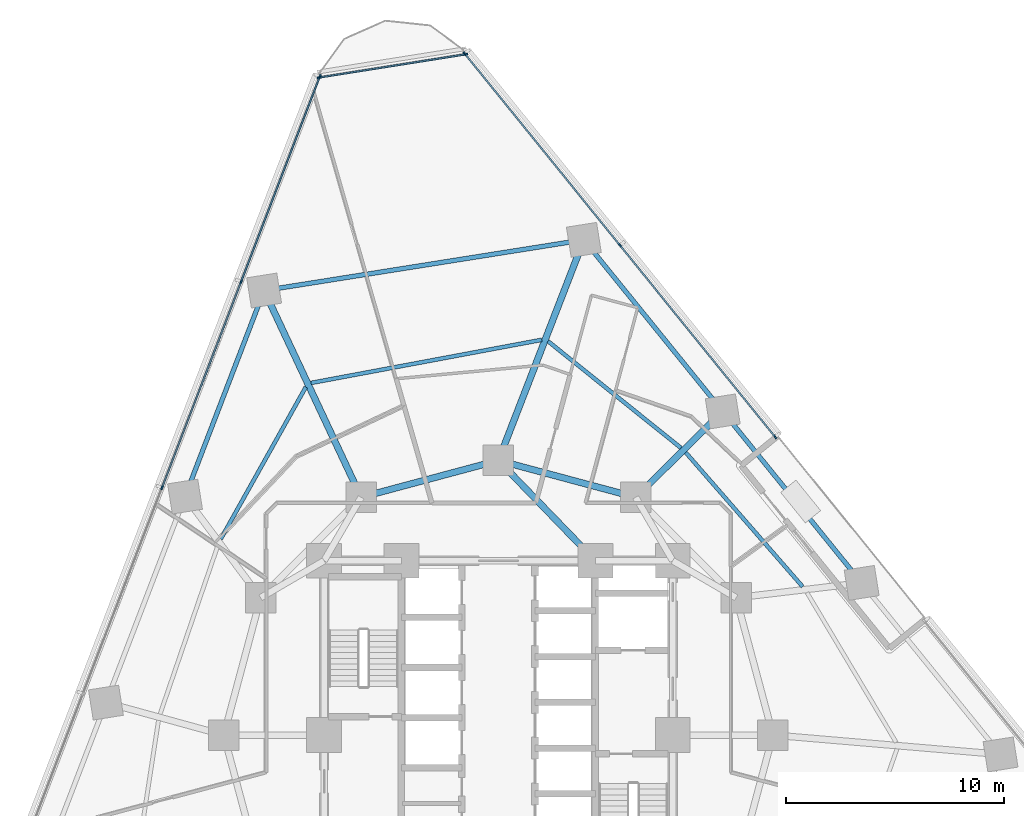
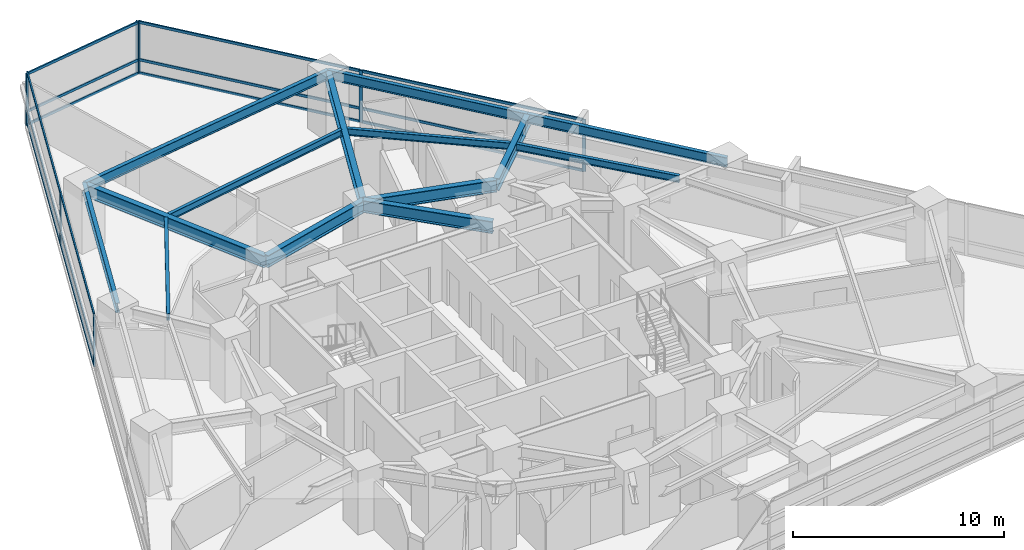
# One storey, part 5 of 14: 23 members, 14 beams, 3 elements without a shape of their own.
"""IFC4 building model written with IfcOpenShell, lengths in metres."""

from ifc_helpers import new_model, si_unit, direction, frame, origin, origin_2d, place, context, subcontext, project, spatial, rectangle, i_section, extrude, material, layer, layer_set, material_profile, profile_set, type_object, element, aggregate, save


model = new_model("IFC4")

# Units and contexts
model_context = context("Model", 3, precision=1e-05, world=origin(), true_north=direction((0.0, 1.0)))
body_context = subcontext(model_context, "Body", "Model", "MODEL_VIEW")
ifc_project = project(units=[si_unit("LENGTHUNIT", "METRE"), si_unit("AREAUNIT", "SQUARE_METRE"), si_unit("VOLUMEUNIT", "CUBIC_METRE"), si_unit("PLANEANGLEUNIT", "RADIAN"), si_unit("MASSUNIT", "GRAM", prefix="KILO")], contexts=[model_context])

# Site, building, storey
site_placement = place(None, origin())
site = spatial("IfcSite", under=ifc_project, at=site_placement, CompositionType="ELEMENT")
building_placement = place(site_placement, origin())
building = spatial("IfcBuilding", under=site, at=building_placement, Name="Terralouvre Media Tower", CompositionType="ELEMENT")
storey_placement = place(building_placement, frame((0.0, 0.0, 63.0)))
storey = spatial("IfcBuildingStorey", under=building, at=storey_placement, Name="L15", CompositionType="ELEMENT", Elevation=63.0)

# Beams
ifc_material_1 = material(Name="Structural steel S355J2", Category="steel")
ifc_material_profile_1 = material_profile(ifc_material_1, i_section(OverallWidth=0.179931640625, OverallDepth=0.39990234375, WebThickness=0.008544921875, FlangeThickness=0.013427734375, at=origin_2d()), Name="IPE 400")
ifc_profile_set_1 = profile_set([ifc_material_profile_1], Name="Structural steel S355J2")
beam_type_1 = type_object("IfcBeamType", Name="Composite Floor Joist J-IPE400 (IPE 400)", PredefinedType="JOIST", material=ifc_profile_set_1)
beam_1_placement = place(storey_placement, frame((13.96044921875, 6.810791015625, 3.300048828125), z_axis=(-0.656991876482, 0.753897655014, 0.0), x_axis=(-0.753897655014, -0.656991876482, 0.0)))
element("IfcBeam", 1, at=beam_1_placement, inside=storey, type_object=beam_type_1, Name="L15 Framing Beam JT-L15-07", PredefinedType="JOIST", context=body_context, shape_type="SweptSolid", body=[
    extrude(i_section(OverallWidth=0.179931640625, OverallDepth=0.39990234375, WebThickness=0.008544921875, FlangeThickness=0.013427734375, at=origin_2d()), origin(), (0.0, 0.0, 1.0), 8.165283203125),
])
beam_2_placement = place(storey_placement, frame((8.380615234375, 13.173583984375, 3.300048828125), z_axis=(-0.779905972593, 0.62589669588, 0.0), x_axis=(-0.62589669588, -0.779905972593, 0.0)))
element("IfcBeam", 2, at=beam_2_placement, inside=storey, type_object=beam_type_1, Name="L15 Framing Beam JT-L15-08", PredefinedType="JOIST", context=body_context, shape_type="SweptSolid", body=[
    extrude(i_section(OverallWidth=0.179931640625, OverallDepth=0.39990234375, WebThickness=0.008544921875, FlangeThickness=0.013427734375, at=origin_2d()), origin(), (0.0, 0.0, 1.0), 7.82470703125),
])
beam_3_placement = place(storey_placement, frame((1.985595703125, 18.13623046875, 3.300048828125), z_axis=(-0.982984181952, -0.183690223017, 0.0), x_axis=(0.183690223017, -0.982984181952, 0.0)))
element("IfcBeam", 3, at=beam_3_placement, inside=storey, type_object=beam_type_1, Name="L15 Framing Beam JT-L15-09", PredefinedType="JOIST", context=body_context, shape_type="SweptSolid", body=[
    extrude(i_section(OverallWidth=0.179931640625, OverallDepth=0.39990234375, WebThickness=0.008544921875, FlangeThickness=0.013427734375, at=origin_2d()), origin(), (0.0, 0.0, 1.0), 10.766845703125),
])
beam_4_placement = place(storey_placement, frame((-8.837646484375, 15.97119140625, 3.300048828125), z_axis=(-0.488342920388, -0.87265181608, 0.0), x_axis=(0.87265181608, -0.488342920388, 0.0)))
element("IfcBeam", 4, at=beam_4_placement, inside=storey, type_object=beam_type_1, Name="L15 Framing Beam JT-L15-10", PredefinedType="JOIST", context=body_context, shape_type="SweptSolid", body=[
    extrude(i_section(OverallWidth=0.179931640625, OverallDepth=0.39990234375, WebThickness=0.008544921875, FlangeThickness=0.013427734375, at=origin_2d()), origin(), (0.0, 0.0, 1.0), 7.992919921875),
])

# Curtain wall, members
ifc_material_2 = material(Name="Low-iron laminated double glazing with solar-control coating", Category="glass")
ifc_layer_1 = layer(ifc_material_2, 0.1650390625, Name="Lower Media Tower Unitised Curtain Wall CW-02")
ifc_layer_set_1 = layer_set([ifc_layer_1], Name="Low-iron laminated double glazing with solar-control coating")
curtain_wall_type_1 = type_object("IfcCurtainWallType", Name="Lower Media Tower Unitised Curtain Wall CW-02", PredefinedType="NOTDEFINED", material=ifc_layer_set_1)
curtain_wall_1_placement = place(storey_placement, origin())
curtain_wall_1 = element("IfcCurtainWall", 5, at=curtain_wall_1_placement, inside=storey, type_object=curtain_wall_type_1, Name="L15 Right Flank Curtain Wall F1", PredefinedType="NOTDEFINED")
ifc_material_3 = material(Name="Anodised extruded aluminium 6063-T6", Category="aluminium")
ifc_material_profile_2 = material_profile(ifc_material_3, rectangle(XDim=0.074951171875, YDim=0.14990234375, at=origin_2d()), Name="ALU 75x150")
ifc_profile_set_2 = profile_set([ifc_material_profile_2], Name="Anodised extruded aluminium 6063-T6")
member_type_1 = type_object("IfcMemberType", Name="Curtain-Wall Horizontal Transom TR-150", PredefinedType="USERDEFINED", material=ifc_profile_set_2)
member_1_placement = place(storey_placement, frame((12.677001953125, 13.707763671875, 0.03759765625), z_axis=(-0.629311243843, 0.77715336863, 0.0), x_axis=(-0.77715336863, -0.629311243843, 0.0)))
member_1 = element("IfcMember", 6, at=member_1_placement, type_object=member_type_1, Name="CW-02 transom 1.1", ObjectType="TRANSOM", PredefinedType="USERDEFINED", context=body_context, shape_type="SweptSolid", body=[
    extrude(rectangle(XDim=0.074951171875, YDim=0.14990234375, at=origin_2d()), origin(), (0.0, 0.0, 1.0), 11.247314453125),
])
member_2_placement = place(storey_placement, frame((12.677001953125, 13.707763671875, 0.800048828125), z_axis=(-0.629311243843, 0.77715336863, 0.0), x_axis=(-0.77715336863, -0.629311243843, 0.0)))
member_2 = element("IfcMember", 7, at=member_2_placement, type_object=member_type_1, Name="CW-02 transom 1.2", ObjectType="TRANSOM", PredefinedType="USERDEFINED", context=body_context, shape_type="SweptSolid", body=[
    extrude(rectangle(XDim=0.074951171875, YDim=0.14990234375, at=origin_2d()), origin(), (0.0, 0.0, 1.0), 11.247314453125),
])
member_3_placement = place(storey_placement, frame((12.677001953125, 13.707763671875, 2.96240234375), z_axis=(-0.629311243843, 0.77715336863, 0.0), x_axis=(-0.77715336863, -0.629311243843, 0.0)))
member_3 = element("IfcMember", 8, at=member_3_placement, type_object=member_type_1, Name="CW-02 transom 1.3", ObjectType="TRANSOM", PredefinedType="USERDEFINED", context=body_context, shape_type="SweptSolid", body=[
    extrude(rectangle(XDim=0.074951171875, YDim=0.14990234375, at=origin_2d()), origin(), (0.0, 0.0, 1.0), 11.247314453125),
])
member_4_placement = place(storey_placement, frame((5.551513671875, 22.507080078125, 0.03759765625), z_axis=(-0.629311243843, 0.77715336863, 0.0), x_axis=(-0.77715336863, -0.629311243843, 0.0)))
member_4 = element("IfcMember", 9, at=member_4_placement, type_object=member_type_1, Name="CW-02 transom 2.1", ObjectType="TRANSOM", PredefinedType="USERDEFINED", context=body_context, shape_type="SweptSolid", body=[
    extrude(rectangle(XDim=0.074951171875, YDim=0.14990234375, at=origin_2d()), origin(), (0.0, 0.0, 1.0), 11.247314453125),
])
member_5_placement = place(storey_placement, frame((5.551513671875, 22.507080078125, 0.800048828125), z_axis=(-0.629311243843, 0.77715336863, 0.0), x_axis=(-0.77715336863, -0.629311243843, 0.0)))
member_5 = element("IfcMember", 10, at=member_5_placement, type_object=member_type_1, Name="CW-02 transom 2.2", ObjectType="TRANSOM", PredefinedType="USERDEFINED", context=body_context, shape_type="SweptSolid", body=[
    extrude(rectangle(XDim=0.074951171875, YDim=0.14990234375, at=origin_2d()), origin(), (0.0, 0.0, 1.0), 11.247314453125),
])
member_6_placement = place(storey_placement, frame((5.551513671875, 22.507080078125, 2.96240234375), z_axis=(-0.629311243843, 0.77715336863, 0.0), x_axis=(-0.77715336863, -0.629311243843, 0.0)))
member_6 = element("IfcMember", 11, at=member_6_placement, type_object=member_type_1, Name="CW-02 transom 2.3", ObjectType="TRANSOM", PredefinedType="USERDEFINED", context=body_context, shape_type="SweptSolid", body=[
    extrude(rectangle(XDim=0.074951171875, YDim=0.14990234375, at=origin_2d()), origin(), (0.0, 0.0, 1.0), 11.247314453125),
])

curtain_wall_2_placement = place(storey_placement, origin())
curtain_wall_2 = element("IfcCurtainWall", 12, at=curtain_wall_2_placement, inside=storey, type_object=curtain_wall_type_1, Name="L15 Facade Curtain Wall F2", PredefinedType="NOTDEFINED")
member_7_placement = place(storey_placement, frame((-8.2041015625, 30.1904296875, 0.03759765625), z_axis=(-0.358376263354, -0.933577235083, 0.0), x_axis=(0.933577235083, -0.358376263354, 0.0)))
member_7 = element("IfcMember", 13, at=member_7_placement, type_object=member_type_1, Name="CW-02 transom 1.1", ObjectType="TRANSOM", PredefinedType="USERDEFINED", context=body_context, shape_type="SweptSolid", body=[
    extrude(rectangle(XDim=0.074951171875, YDim=0.14990234375, at=origin_2d()), origin(), (0.0, 0.0, 1.0), 10.015625),
])
member_8_placement = place(storey_placement, frame((-8.2041015625, 30.1904296875, 0.800048828125), z_axis=(-0.358376263354, -0.933577235083, 0.0), x_axis=(0.933577235083, -0.358376263354, 0.0)))
member_8 = element("IfcMember", 14, at=member_8_placement, type_object=member_type_1, Name="CW-02 transom 1.2", ObjectType="TRANSOM", PredefinedType="USERDEFINED", context=body_context, shape_type="SweptSolid", body=[
    extrude(rectangle(XDim=0.074951171875, YDim=0.14990234375, at=origin_2d()), origin(), (0.0, 0.0, 1.0), 10.015625),
])
member_9_placement = place(storey_placement, frame((-8.2041015625, 30.1904296875, 2.96240234375), z_axis=(-0.358376263354, -0.933577235083, 0.0), x_axis=(0.933577235083, -0.358376263354, 0.0)))
member_9 = element("IfcMember", 15, at=member_9_placement, type_object=member_type_1, Name="CW-02 transom 1.3", ObjectType="TRANSOM", PredefinedType="USERDEFINED", context=body_context, shape_type="SweptSolid", body=[
    extrude(rectangle(XDim=0.074951171875, YDim=0.14990234375, at=origin_2d()), origin(), (0.0, 0.0, 1.0), 10.015625),
])
member_10_placement = place(storey_placement, frame((-11.8203125, 20.77001953125, 0.03759765625), z_axis=(-0.358357340084, -0.933584499019, 0.0), x_axis=(0.933584499019, -0.358357340084, 0.0)))
member_10 = element("IfcMember", 16, at=member_10_placement, type_object=member_type_1, Name="CW-02 transom 2.1", ObjectType="TRANSOM", PredefinedType="USERDEFINED", context=body_context, shape_type="SweptSolid", body=[
    extrude(rectangle(XDim=0.074951171875, YDim=0.14990234375, at=origin_2d()), origin(), (0.0, 0.0, 1.0), 10.052978515625),
])
member_11_placement = place(storey_placement, frame((-11.8203125, 20.77001953125, 0.800048828125), z_axis=(-0.358357340084, -0.933584499019, 0.0), x_axis=(0.933584499019, -0.358357340084, 0.0)))
member_11 = element("IfcMember", 17, at=member_11_placement, type_object=member_type_1, Name="CW-02 transom 2.2", ObjectType="TRANSOM", PredefinedType="USERDEFINED", context=body_context, shape_type="SweptSolid", body=[
    extrude(rectangle(XDim=0.074951171875, YDim=0.14990234375, at=origin_2d()), origin(), (0.0, 0.0, 1.0), 10.052978515625),
])
member_12_placement = place(storey_placement, frame((-11.8203125, 20.77001953125, 2.96240234375), z_axis=(-0.358357340084, -0.933584499019, 0.0), x_axis=(0.933584499019, -0.358357340084, 0.0)))
member_12 = element("IfcMember", 18, at=member_12_placement, type_object=member_type_1, Name="CW-02 transom 2.3", ObjectType="TRANSOM", PredefinedType="USERDEFINED", context=body_context, shape_type="SweptSolid", body=[
    extrude(rectangle(XDim=0.074951171875, YDim=0.14990234375, at=origin_2d()), origin(), (0.0, 0.0, 1.0), 10.052978515625),
])

ifc_material_4 = material(Name="Low-iron laminated double glazing with solar-control coating", Category="glass")
ifc_layer_2 = layer(ifc_material_4, 0.1650390625, Name="Rounded Wind-Corner Curved Glazing CW-04")
ifc_layer_set_2 = layer_set([ifc_layer_2], Name="Low-iron laminated double glazing with solar-control coating")
curtain_wall_type_2 = type_object("IfcCurtainWallType", Name="Rounded Wind-Corner Curved Glazing CW-04", PredefinedType="NOTDEFINED", material=ifc_layer_set_2)
curtain_wall_3_placement = place(storey_placement, origin())
curtain_wall_3 = element("IfcCurtainWall", 19, at=curtain_wall_3_placement, inside=storey, type_object=curtain_wall_type_2, Name="L15 Rounded Wind-Corner Curtain Wall C2", PredefinedType="NOTDEFINED")
member_13_placement = place(storey_placement, frame((-1.53271484375, 31.231689453125, 0.03759765625), z_axis=(-0.987688588398, -0.156432900464, 0.0), x_axis=(0.156432900464, -0.987688588398, 0.0)))
member_13 = element("IfcMember", 20, at=member_13_placement, type_object=member_type_1, Name="CW-04 transom 1.1", ObjectType="TRANSOM", PredefinedType="USERDEFINED", context=body_context, shape_type="SweptSolid", body=[
    extrude(rectangle(XDim=0.074951171875, YDim=0.14990234375, at=origin_2d()), origin(), (0.0, 0.0, 1.0), 6.74365234375),
])
member_14_placement = place(storey_placement, frame((-1.53271484375, 31.231689453125, 0.800048828125), z_axis=(-0.987688588398, -0.156432900464, 0.0), x_axis=(0.156432900464, -0.987688588398, 0.0)))
member_14 = element("IfcMember", 21, at=member_14_placement, type_object=member_type_1, Name="CW-04 transom 1.2", ObjectType="TRANSOM", PredefinedType="USERDEFINED", context=body_context, shape_type="SweptSolid", body=[
    extrude(rectangle(XDim=0.074951171875, YDim=0.14990234375, at=origin_2d()), origin(), (0.0, 0.0, 1.0), 6.74365234375),
])
member_15_placement = place(storey_placement, frame((-1.53271484375, 31.231689453125, 2.96240234375), z_axis=(-0.987688588398, -0.156432900464, 0.0), x_axis=(0.156432900464, -0.987688588398, 0.0)))
member_15 = element("IfcMember", 22, at=member_15_placement, type_object=member_type_1, Name="CW-04 transom 1.3", ObjectType="TRANSOM", PredefinedType="USERDEFINED", context=body_context, shape_type="SweptSolid", body=[
    extrude(rectangle(XDim=0.074951171875, YDim=0.14990234375, at=origin_2d()), origin(), (0.0, 0.0, 1.0), 6.74365234375),
])

# Member
ifc_material_5 = material(Name="Anodised extruded aluminium 6063-T6", Category="aluminium")
ifc_material_profile_3 = material_profile(ifc_material_5, rectangle(XDim=0.074951171875, YDim=0.179931640625, at=origin_2d()), Name="ALU 75x180")
ifc_profile_set_3 = profile_set([ifc_material_profile_3], Name="Anodised extruded aluminium 6063-T6")
member_type_2 = type_object("IfcMemberType", Name="Curtain-Wall Vertical Mullion ML-180", PredefinedType="MULLION", material=ifc_profile_set_3)
member_16_placement = place(storey_placement, frame((12.70068359375, 13.6787109375, 0.0), z_axis=(0.0, 0.0, 1.0), x_axis=(-0.777145796262, -0.629320595049, 0.0)))
member_16 = element("IfcMember", 23, at=member_16_placement, type_object=member_type_2, Name="CW-02 mullion 1", PredefinedType="MULLION", context=body_context, shape_type="SweptSolid", body=[
    extrude(rectangle(XDim=0.074951171875, YDim=0.179931640625, at=origin_2d()), origin(), (0.0, 0.0, 1.0), 3.0),
])

member_17_placement = place(storey_placement, frame((5.5751953125, 22.477783203125, 0.0), z_axis=(0.0, 0.0, 1.0), x_axis=(-0.777145796262, -0.629320595049, 0.0)))
member_17 = element("IfcMember", 24, at=member_17_placement, type_object=member_type_2, Name="CW-02 mullion 2", PredefinedType="MULLION", context=body_context, shape_type="SweptSolid", body=[
    extrude(rectangle(XDim=0.074951171875, YDim=0.179931640625, at=origin_2d()), origin(), (0.0, 0.0, 1.0), 3.0),
])

member_18_placement = place(storey_placement, frame((-1.55029296875, 31.277099609375, 0.0), z_axis=(0.0, 0.0, 1.0), x_axis=(-0.777145796262, -0.629320595049, 0.0)))
member_18 = element("IfcMember", 25, at=member_18_placement, type_object=member_type_2, Name="CW-02 mullion 3", PredefinedType="MULLION", context=body_context, shape_type="SweptSolid", body=[
    extrude(rectangle(XDim=0.074951171875, YDim=0.179931640625, at=origin_2d()), origin(), (0.0, 0.0, 1.0), 3.0),
])

aggregate(curtain_wall_1, [member_16, member_17, member_18, member_1, member_2, member_3, member_4, member_5, member_6])

member_19_placement = place(storey_placement, frame((-8.190673828125, 30.225341796875, 0.0), z_axis=(0.0, 0.0, 1.0), x_axis=(0.933580438988, -0.358367917006, 0.0)))
member_19 = element("IfcMember", 26, at=member_19_placement, type_object=member_type_2, Name="CW-02 mullion 1", PredefinedType="MULLION", context=body_context, shape_type="SweptSolid", body=[
    extrude(rectangle(XDim=0.074951171875, YDim=0.179931640625, at=origin_2d()), origin(), (0.0, 0.0, 1.0), 3.0),
])

member_20_placement = place(storey_placement, frame((-11.806884765625, 20.80517578125, 0.0), z_axis=(0.0, 0.0, 1.0), x_axis=(0.933580438988, -0.358367917006, 0.0)))
member_20 = element("IfcMember", 27, at=member_20_placement, type_object=member_type_2, Name="CW-02 mullion 2", PredefinedType="MULLION", context=body_context, shape_type="SweptSolid", body=[
    extrude(rectangle(XDim=0.074951171875, YDim=0.179931640625, at=origin_2d()), origin(), (0.0, 0.0, 1.0), 3.0),
])

member_21_placement = place(storey_placement, frame((-15.436279296875, 11.349853515625, 0.0), z_axis=(0.0, 0.0, 1.0), x_axis=(0.933580438988, -0.358367917006, 0.0)))
member_21 = element("IfcMember", 28, at=member_21_placement, type_object=member_type_2, Name="CW-02 mullion 3", PredefinedType="MULLION", context=body_context, shape_type="SweptSolid", body=[
    extrude(rectangle(XDim=0.074951171875, YDim=0.179931640625, at=origin_2d()), origin(), (0.0, 0.0, 1.0), 3.0),
])

aggregate(curtain_wall_2, [member_19, member_20, member_21, member_7, member_8, member_9, member_10, member_11, member_12])

member_22_placement = place(storey_placement, frame((-1.495849609375, 31.237548828125, 0.0), z_axis=(0.0, 0.0, 1.0), x_axis=(0.156434386502, -0.987688353034, 0.0)))
member_22 = element("IfcMember", 29, at=member_22_placement, type_object=member_type_2, Name="CW-04 mullion 1", PredefinedType="MULLION", context=body_context, shape_type="SweptSolid", body=[
    extrude(rectangle(XDim=0.074951171875, YDim=0.179931640625, at=origin_2d()), origin(), (0.0, 0.0, 1.0), 3.0),
])

member_23_placement = place(storey_placement, frame((-8.23046875, 30.1708984375, 0.0), z_axis=(0.0, 0.0, 1.0), x_axis=(0.156434386502, -0.987688353034, 0.0)))
member_23 = element("IfcMember", 30, at=member_23_placement, type_object=member_type_2, Name="CW-04 mullion 2", PredefinedType="MULLION", context=body_context, shape_type="SweptSolid", body=[
    extrude(rectangle(XDim=0.074951171875, YDim=0.179931640625, at=origin_2d()), origin(), (0.0, 0.0, 1.0), 3.0),
])

aggregate(curtain_wall_3, [member_22, member_23, member_13, member_14, member_15])

# Beams
ifc_material_6 = material(Name="Structural steel S355J2", Category="steel")
ifc_material_profile_4 = material_profile(ifc_material_6, i_section(OverallWidth=0.2099609375, OverallDepth=0.550048828125, WebThickness=0.010986328125, FlangeThickness=0.01708984375, at=origin_2d()), Name="IPE 550")
ifc_profile_set_4 = profile_set([ifc_material_profile_4], Name="Structural steel S355J2")
beam_type_2 = type_object("IfcBeamType", Name="Perimeter Spandrel Beam SPB-550 (IPE 550)", PredefinedType="SPANDREL", material=ifc_profile_set_4)
for number, where, z_axis, x_axis, name in (
    (31, (16.669189453125, 6.982421875, 3.22509765625), (-0.629325814949, 0.777141569239, 0.0), (-0.777141569239, -0.629325814949, 0.0), "L15 Framing Beam BM-L15-PR07"),
    (32, (10.29541015625, 14.853271484375, 3.22509765625), (-0.629325814949, 0.777141569239, 0.0), (-0.777141569239, -0.629325814949, 0.0), "L15 Framing Beam BM-L15-PR08"),
):
    element("IfcBeam", number, at=place(storey_placement, frame(where, z_axis=z_axis, x_axis=x_axis)), inside=storey, type_object=beam_type_2, Name=name, PredefinedType="SPANDREL", context=body_context, shape_type="SweptSolid", body=[
        extrude(i_section(OverallWidth=0.2099609375, OverallDepth=0.550048828125, WebThickness=0.010986328125, FlangeThickness=0.01708984375, at=origin_2d()), origin(), (0.0, 0.0, 1.0), 10.1279296875),
    ])
beam_5_placement = place(storey_placement, frame((3.921630859375, 22.72412109375, 3.22509765625), z_axis=(-0.98768930547, -0.156428372939, 0.0), x_axis=(0.156428372939, -0.98768930547, 0.0)))
element("IfcBeam", 33, at=beam_5_placement, inside=storey, type_object=beam_type_2, Name="L15 Framing Beam BM-L15-PR09", PredefinedType="SPANDREL", context=body_context, shape_type="SweptSolid", body=[
    extrude(i_section(OverallWidth=0.2099609375, OverallDepth=0.550048828125, WebThickness=0.010986328125, FlangeThickness=0.01708984375, at=origin_2d()), origin(), (0.0, 0.0, 1.0), 14.8564453125),
])
beam_6_placement = place(storey_placement, frame((-10.751953125, 20.400146484375, 3.22509765625), z_axis=(-0.358353868481, -0.933585831589, 0.0), x_axis=(0.933585831589, -0.358353868481, 0.0)))
element("IfcBeam", 34, at=beam_6_placement, inside=storey, type_object=beam_type_2, Name="L15 Framing Beam BM-L15-PR10", PredefinedType="SPANDREL", context=body_context, shape_type="SweptSolid", body=[
    extrude(i_section(OverallWidth=0.2099609375, OverallDepth=0.550048828125, WebThickness=0.010986328125, FlangeThickness=0.01708984375, at=origin_2d()), origin(), (0.0, 0.0, 1.0), 10.1279296875),
])
ifc_material_7 = material(Name="Structural steel S460M", Category="steel")
ifc_material_profile_5 = material_profile(ifc_material_7, i_section(OverallWidth=0.300048828125, OverallDepth=0.699951171875, WebThickness=0.01708984375, FlangeThickness=0.031982421875, at=origin_2d()), Name="HEB 700")
ifc_profile_set_5 = profile_set([ifc_material_profile_5], Name="Structural steel S460M")
beam_type_3 = type_object("IfcBeamType", Name="Primary Floor Girder B-HEB700 (HEB 700)", PredefinedType="BEAM", material=ifc_profile_set_5)
for number, where, z_axis, x_axis, name in (
    (35, (6.300048828125, 10.911865234375, 3.14990234375), (-0.965920481897, 0.258838989821, 0.0), (-0.258838989821, -0.965920481897, 0.0), "L15 Framing Beam BM-L15-MR08"),
    (36, (0.0, 12.60009765625, 3.14990234375), (-0.965920481897, -0.258838989821, 0.0), (0.258838989821, -0.965920481897, 0.0), "L15 Framing Beam BM-L15-MR09"),
):
    element("IfcBeam", number, at=place(storey_placement, frame(where, z_axis=z_axis, x_axis=x_axis)), inside=storey, type_object=beam_type_3, Name=name, PredefinedType="BEAM", context=body_context, shape_type="SweptSolid", body=[
        extrude(i_section(OverallWidth=0.300048828125, OverallDepth=0.699951171875, WebThickness=0.01708984375, FlangeThickness=0.031982421875, at=origin_2d()), origin(), (0.0, 0.0, 1.0), 6.522216796875),
    ])
beam_7_placement = place(storey_placement, frame((4.449951171875, 8.0, 3.14990234375), z_axis=(-0.695279715726, 0.718739255155, 0.0), x_axis=(-0.718739255155, -0.695279715726, 0.0)))
element("IfcBeam", 37, at=beam_7_placement, inside=storey, type_object=beam_type_3, Name="L15 Framing Beam BM-L15-CM09", PredefinedType="BEAM", context=body_context, shape_type="SweptSolid", body=[
    extrude(i_section(OverallWidth=0.300048828125, OverallDepth=0.699951171875, WebThickness=0.01708984375, FlangeThickness=0.031982421875, at=origin_2d()), origin(), (0.0, 0.0, 1.0), 6.400146484375),
])
beam_8_placement = place(storey_placement, frame((6.300048828125, 10.911865234375, 3.14990234375), z_axis=(0.711897326367, 0.702283558623, 0.0), x_axis=(-0.702283558623, 0.711897326367, 0.0)))
element("IfcBeam", 38, at=beam_8_placement, inside=storey, type_object=beam_type_3, Name="L15 Framing Beam BM-L15-RD08", PredefinedType="BEAM", context=body_context, shape_type="SweptSolid", body=[
    extrude(i_section(OverallWidth=0.300048828125, OverallDepth=0.699951171875, WebThickness=0.01708984375, FlangeThickness=0.031982421875, at=origin_2d()), origin(), (0.0, 0.0, 1.0), 5.6123046875),
])
beam_9_placement = place(storey_placement, frame((0.0, 12.60009765625, 3.14990234375), z_axis=(0.361206690819, 0.93248577818, 0.0), x_axis=(-0.93248577818, 0.361206690819, 0.0)))
element("IfcBeam", 39, at=beam_9_placement, inside=storey, type_object=beam_type_3, Name="L15 Framing Beam BM-L15-RD09", PredefinedType="BEAM", context=body_context, shape_type="SweptSolid", body=[
    extrude(i_section(OverallWidth=0.300048828125, OverallDepth=0.699951171875, WebThickness=0.01708984375, FlangeThickness=0.031982421875, at=origin_2d()), origin(), (0.0, 0.0, 1.0), 10.85693359375),
])
beam_10_placement = place(storey_placement, frame((-6.300048828125, 10.911865234375, 3.14990234375), z_axis=(-0.42476805902, 0.905302212544, 0.0), x_axis=(-0.905302212544, -0.42476805902, 0.0)))
element("IfcBeam", 40, at=beam_10_placement, inside=storey, type_object=beam_type_3, Name="L15 Framing Beam BM-L15-RD10", PredefinedType="BEAM", context=body_context, shape_type="SweptSolid", body=[
    extrude(i_section(OverallWidth=0.300048828125, OverallDepth=0.699951171875, WebThickness=0.01708984375, FlangeThickness=0.031982421875, at=origin_2d()), origin(), (0.0, 0.0, 1.0), 10.480712890625),
])

save(model, "model.ifc")
